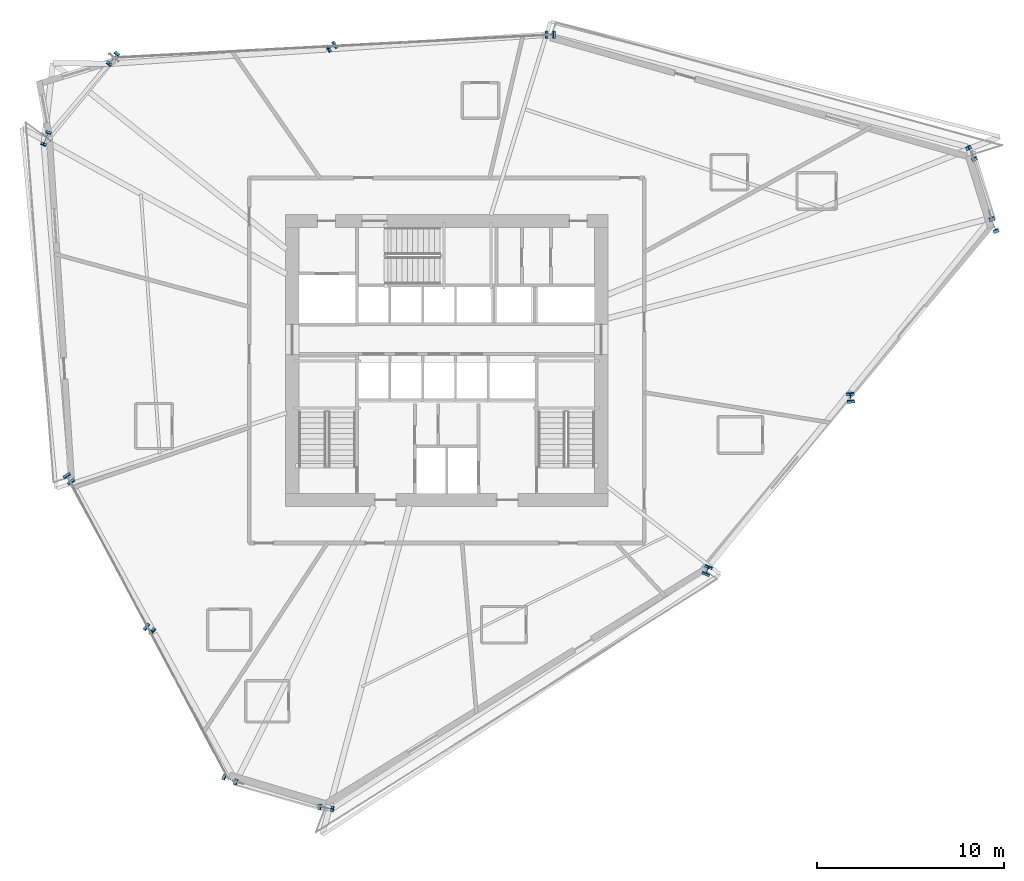
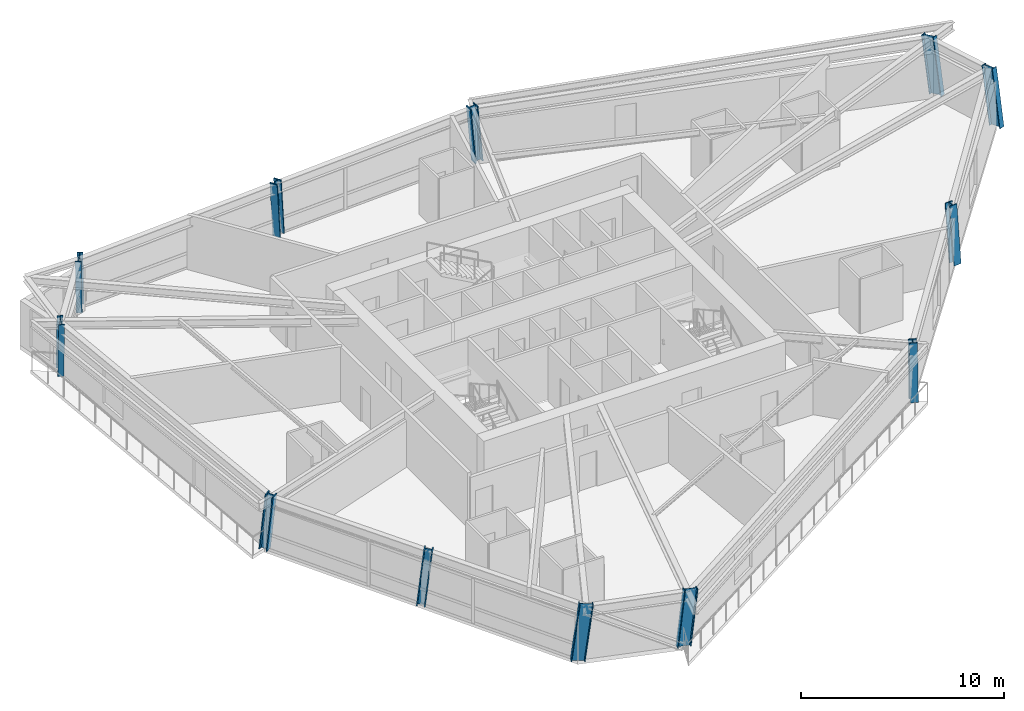
# One storey, part 1 of 21: 12 columns.
"""IFC4 building model written with IfcOpenShell, lengths in metres."""

import ifcopenshell
import ifcopenshell.guid

model = None  # the IFC model being written
_history = None  # IfcOwnerHistory: only IFC2X3 demands one
_inside = {}  # id of a spatial element -> (the spatial element, [elements in it])
_under = {}  # id of a project, library or spatial element -> (it, [spatial elements below it])
_declared = {}  # id of a project -> (the project, [libraries it declares])
_typed = {}  # id of a type object -> (the type object, [elements of that type])
_made_of = {}  # id of a material, layer set ... -> (it, [elements and type objects made of it])


def new_model(schema):
    """Start an empty IFC model of exactly this schema.

    Asked for "IFC4X3", IfcOpenShell would pick the latest addendum, in which some entities
    have other attributes; the version numbers below select the first issue.
    IFC2X3 requires an IfcOwnerHistory on every rooted entity: one is made here for all.
    """
    global model, _history
    if schema == "IFC4X3":
        model = ifcopenshell.file(schema_version=(4, 3, 0, 0))
    else:
        model = ifcopenshell.file(schema=schema)
    _inside.clear()
    _under.clear()
    _declared.clear()
    _typed.clear()
    _made_of.clear()
    _history = None
    if model.schema == "IFC2X3":
        org = make("IfcOrganization", Name="unknown")
        user = make(
            "IfcPersonAndOrganization",
            ThePerson=make("IfcPerson", FamilyName="unknown"),
            TheOrganization=org,
        )
        app = make(
            "IfcApplication",
            ApplicationDeveloper=org,
            Version="unknown",
            ApplicationFullName="unknown",
            ApplicationIdentifier="unknown",
        )
        _history = make(
            "IfcOwnerHistory",
            OwningUser=user,
            OwningApplication=app,
            ChangeAction="ADDED",
            CreationDate=0,
        )
    return model


def make(cls, **values):
    """One entity of the class cls with the attributes given. An attribute that is None is left unset."""
    return model.create_entity(
        cls, **{name: value for name, value in values.items() if value is not None}
    )


def rooted(cls, **values):
    """An entity with a GlobalId (a new one), such as an element, a storey or a relation."""
    return make(cls, GlobalId=ifcopenshell.guid.new(), OwnerHistory=_history, **values)


def si_unit(unit_type, name, prefix=None):
    """IfcSIUnit, for example si_unit("LENGTHUNIT", "METRE", prefix="MILLI")."""
    return make("IfcSIUnit", UnitType=unit_type, Prefix=prefix, Name=name)


def assignment(units):
    """IfcUnitAssignment: the units of a project."""
    return None if units is None else make("IfcUnitAssignment", Units=units)


def point(xyz):
    """IfcCartesianPoint."""
    return None if xyz is None else make("IfcCartesianPoint", Coordinates=xyz)


def direction(xyz):
    """IfcDirection."""
    return None if xyz is None else make("IfcDirection", DirectionRatios=xyz)


def frame(location, z_axis=None, x_axis=None):
    """IfcAxis2Placement3D, a coordinate frame: its origin and axes. An axis left out is left unset."""
    return make(
        "IfcAxis2Placement3D",
        Location=point(location),
        Axis=direction(z_axis),
        RefDirection=direction(x_axis),
    )


def frame_2d(location, x_axis=None):
    """IfcAxis2Placement2D, a coordinate frame in the plane: its origin and x axis."""
    return make(
        "IfcAxis2Placement2D", Location=point(location), RefDirection=direction(x_axis)
    )


def origin():
    """The frame at (0, 0, 0) with its axes left unset."""
    return frame((0.0, 0.0, 0.0))


def origin_2d():
    """The frame at (0, 0) in the plane with its x axis left unset."""
    return frame_2d((0.0, 0.0))


def place(relative_to, where):
    """IfcLocalPlacement: puts the frame where relative to a parent placement (None: the world)."""
    return make(
        "IfcLocalPlacement", PlacementRelTo=relative_to, RelativePlacement=where
    )


def context(
    kind, dimensions, precision=None, world=None, true_north=None, identifier=None
):
    """IfcGeometricRepresentationContext, for example the 3D "Model" context."""
    return make(
        "IfcGeometricRepresentationContext",
        ContextIdentifier=identifier,
        ContextType=kind,
        CoordinateSpaceDimension=dimensions,
        Precision=precision,
        WorldCoordinateSystem=world,
        TrueNorth=true_north,
    )


def subcontext(parent, identifier, kind, view, scale=None):
    """IfcGeometricRepresentationSubContext, for example "Body" below "Model"."""
    return make(
        "IfcGeometricRepresentationSubContext",
        ContextIdentifier=identifier,
        ContextType=kind,
        ParentContext=parent,
        TargetScale=scale,
        TargetView=view,
    )


def project(units=None, contexts=None):
    """IfcProject with its units and contexts."""
    return rooted(
        "IfcProject",
        Name="project",
        RepresentationContexts=contexts,
        UnitsInContext=assignment(units),
    )


def spatial(cls, under=None, at=None, **own):
    """A site, building, storey or space (cls), placed at a placement, below another one or the project."""
    s = rooted(cls, ObjectPlacement=at, **own)
    if under is not None:
        _under.setdefault(under.id(), (under, []))[1].append(s)
    return s


def profile(cls, at=None, kind="AREA", **sizes):
    """A parametric profile (cls). Its sizes go by their IFC names, for example OverallWidth=200.0."""
    return make(cls, ProfileType=kind, Position=at, **sizes)


def i_section(**sizes):
    """IfcIShapeProfileDef."""
    return profile("IfcIShapeProfileDef", **sizes)


def extrude(swept, where, along, depth):
    """IfcExtrudedAreaSolid: the profile swept, set in the frame where, extruded along a direction by depth."""
    return make(
        "IfcExtrudedAreaSolid",
        SweptArea=swept,
        Position=where,
        ExtrudedDirection=direction(along),
        Depth=depth,
    )


def shape(context_of_items, identifier, shape_type, items):
    """IfcShapeRepresentation: the items that make up one representation, for example the "Body"."""
    return make(
        "IfcShapeRepresentation",
        ContextOfItems=context_of_items,
        RepresentationIdentifier=identifier,
        RepresentationType=shape_type,
        Items=items,
    )


def source(mapping_origin, context_of_items, identifier, shape_type, items):
    """IfcRepresentationMap: a shape defined once, which mapped items show again and again."""
    return make(
        "IfcRepresentationMap",
        MappingOrigin=mapping_origin,
        MappedRepresentation=shape(context_of_items, identifier, shape_type, items),
    )


def transform(
    local_origin,
    x_axis=None,
    y_axis=None,
    z_axis=None,
    scale=None,
    scale2=None,
    scale3=None,
    uniform=True,
):
    """IfcCartesianTransformationOperator3D, or its non-uniform kind. x_axis, y_axis, z_axis: its Axis1, 2, 3."""
    if uniform:
        return make(
            "IfcCartesianTransformationOperator3D",
            Axis1=direction(x_axis),
            Axis2=direction(y_axis),
            LocalOrigin=point(local_origin),
            Scale=scale,
            Axis3=direction(z_axis),
        )
    return make(
        "IfcCartesianTransformationOperator3DnonUniform",
        Axis1=direction(x_axis),
        Axis2=direction(y_axis),
        LocalOrigin=point(local_origin),
        Scale=scale,
        Axis3=direction(z_axis),
        Scale2=scale2,
        Scale3=scale3,
    )


def mapped(mapping_source, mapping_target):
    """IfcMappedItem: shows the shape of a source again, moved by a transform."""
    return make(
        "IfcMappedItem", MappingSource=mapping_source, MappingTarget=mapping_target
    )


def material(Name=None, Category=None):
    """IfcMaterial."""
    return make("IfcMaterial", Name=Name, Category=Category)


def material_profile(
    of_material, cross_section, Name=None, Category=None, Priority=None
):
    """IfcMaterialProfile: a cross section and its material."""
    return make(
        "IfcMaterialProfile",
        Name=Name,
        Material=of_material,
        Profile=cross_section,
        Priority=Priority,
        Category=Category,
    )


def profile_set(profiles, Name=None, composite=None):
    """IfcMaterialProfileSet."""
    return make(
        "IfcMaterialProfileSet",
        Name=Name,
        MaterialProfiles=profiles,
        CompositeProfile=composite,
    )


def made_of(thing, what):
    """Note that an element or type object is made of a material, layer set ...; save() writes the relation."""
    if what is not None:
        _made_of.setdefault(what.id(), (what, []))[1].append(thing)
    return thing


def type_object(cls, material=None, **own):
    """A type object (cls), such as IfcWallType, which elements share."""
    return made_of(rooted(cls, **own), material)


def element(
    cls,
    number,
    at=None,
    inside=None,
    cuts=None,
    type_object=None,
    material=None,
    context=None,
    identifier="Body",
    shape_type=None,
    held_by="IfcProductDefinitionShape",
    body=None,
    shapes=None,
    **own,
):
    """One element of the class cls, such as IfcWall. Its Tag is "e" and its number.

    at: its placement. inside: the storey or other place that contains it. cuts: it is an
    opening in that element (IfcRelVoidsElement). A single representation is given by context,
    identifier, shape_type and body (its items); several are given by shapes. held_by: the class
    of the entity that holds the representations. save() writes the other relations.
    """
    e = rooted(cls, Tag="e%d" % number, ObjectPlacement=at, **own)
    if body is not None:
        shapes = [shape(context, identifier, shape_type, body)]
    if shapes is not None:
        e.Representation = make(held_by, Representations=shapes)
    if inside is not None:
        _inside.setdefault(inside.id(), (inside, []))[1].append(e)
    if cuts is not None:
        rooted(
            "IfcRelVoidsElement", RelatingBuildingElement=cuts, RelatedOpeningElement=e
        )
    if type_object is not None:
        _typed.setdefault(type_object.id(), (type_object, []))[1].append(e)
    return made_of(e, material)


def aggregate(whole, parts):
    """IfcRelAggregates: a whole, such as a stair, and the parts it consists of."""
    return rooted("IfcRelAggregates", RelatingObject=whole, RelatedObjects=parts)


def save(model, path):
    """Write the relations noted so far, then the file.

    IfcRelAggregates (storeys below a building ...), IfcRelContainedInSpatialStructure (elements
    in a storey), IfcRelDefinesByType, IfcRelAssociatesMaterial and IfcRelDeclares: one each for
    every whole, place, type object, material and project.
    """
    for whole, parts in _under.values():
        aggregate(whole, parts)
    for where, things in _inside.values():
        rooted(
            "IfcRelContainedInSpatialStructure",
            RelatedElements=things,
            RelatingStructure=where,
        )
    for kind, things in _typed.values():
        rooted("IfcRelDefinesByType", RelatedObjects=things, RelatingType=kind)
    for what, things in _made_of.values():
        rooted("IfcRelAssociatesMaterial", RelatedObjects=things, RelatingMaterial=what)
    for by, libraries in _declared.values():
        rooted("IfcRelDeclares", RelatingContext=by, RelatedDefinitions=libraries)
    model.write(path)


model = new_model("IFC4")

# Units and contexts
model_context = context("Model", 3, precision=1e-05, world=origin(), true_north=direction((0.0, 1.0)))
body_context = subcontext(model_context, "Body", "Model", "MODEL_VIEW")
ifc_project = project(units=[si_unit("LENGTHUNIT", "METRE"), si_unit("AREAUNIT", "SQUARE_METRE"), si_unit("VOLUMEUNIT", "CUBIC_METRE"), si_unit("PLANEANGLEUNIT", "RADIAN"), si_unit("MASSUNIT", "GRAM", prefix="KILO")], contexts=[model_context])

# Site, building, storey
site_placement = place(None, origin())
site = spatial("IfcSite", under=ifc_project, at=site_placement, CompositionType="ELEMENT")
building_placement = place(site_placement, origin())
building = spatial("IfcBuilding", under=site, at=building_placement, Name="Olszyna Solenne Hotel", CompositionType="ELEMENT")
storey_placement = place(building_placement, frame((0.0, 0.0, 105.699951171875)))
storey = spatial("IfcBuildingStorey", under=building, at=storey_placement, Name="L27", CompositionType="ELEMENT", Elevation=105.699951171875)

# Columns
ifc_material = material(Name="Steel S460M", Category="steel")
ifc_material_profile_1 = material_profile(ifc_material, i_section(OverallWidth=0.41796875, OverallDepth=0.455078125, WebThickness=0.03759765625, FlangeThickness=0.05908203125, at=origin_2d()), Name="HD 400x551", Category="load-bearing")
ifc_profile_set_1 = profile_set([ifc_material_profile_1], Name="Steel S460M")
column_type_1 = type_object("IfcColumnType", Name="COL-T2", PredefinedType="COLUMN", material=ifc_profile_set_1)
shared_shape_1 = source(origin(), body_context, "Body", "SweptSolid", [
    extrude(i_section(OverallWidth=0.41796875, OverallDepth=0.455078125, WebThickness=0.03759765625, FlangeThickness=0.05908203125, at=origin_2d()), origin(), (0.0, 0.0, 1.0), 3.398193359375),
])
column_1_placement = place(storey_placement, frame((51.890869140625, 15.33349609375, 0.0), z_axis=(0.033119577524, 0.08175722174, 0.996101827264), x_axis=(-0.926838869798, 0.375459331263, 0.0)))
element("IfcColumn", 1, at=column_1_placement, inside=storey, type_object=column_type_1, Name="Perimeter framed-tube column COL-T2 C-L27-11", PredefinedType="COLUMN", context=body_context, shape_type="MappedRepresentation", body=[
    mapped(shared_shape_1, transform((0.0, 0.0, 0.0), x_axis=(1.0, 0.0, 0.0), y_axis=(0.0, 1.0, 0.0), z_axis=(0.0, 0.0, 1.0), scale=1.0)),
])
shared_shape_2 = source(origin(), body_context, "Body", "SweptSolid", [
    extrude(i_section(OverallWidth=0.41796875, OverallDepth=0.455078125, WebThickness=0.03759765625, FlangeThickness=0.05908203125, at=origin_2d()), origin(), (0.0, 0.0, 1.0), 3.4052734375),
])
column_2_placement = place(storey_placement, frame((59.572998046875, 24.54248046875, 0.0), z_axis=(-0.007456196647, 0.108760099163, 0.994040062554), x_axis=(-0.997658264016, -0.068395820341, 0.0)))
element("IfcColumn", 2, at=column_2_placement, inside=storey, type_object=column_type_1, Name="Perimeter framed-tube column COL-T2 C-L27-12", PredefinedType="COLUMN", context=body_context, shape_type="MappedRepresentation", body=[
    mapped(shared_shape_2, transform((0.0, 0.0, 0.0), x_axis=(1.0, 0.0, 0.0), y_axis=(0.0, 1.0, 0.0), z_axis=(0.0, 0.0, 1.0), scale=1.0)),
])
ifc_material_profile_2 = material_profile(ifc_material, i_section(OverallWidth=0.303955078125, OverallDepth=0.716064453125, WebThickness=0.02099609375, FlangeThickness=0.0400390625, at=origin_2d()), Name="HEM 700", Category="load-bearing")
ifc_profile_set_2 = profile_set([ifc_material_profile_2], Name="Steel S460M")
column_type_2 = type_object("IfcColumnType", Name="COL-K2", PredefinedType="COLUMN", material=ifc_profile_set_2)
shared_shape_3 = source(origin(), body_context, "Body", "SweptSolid", [
    extrude(i_section(OverallWidth=0.303955078125, OverallDepth=0.716064453125, WebThickness=0.02099609375, FlangeThickness=0.0400390625, at=origin_2d()), origin(), (0.0, 0.0, 1.0), 3.404296875),
])
column_3_placement = place(storey_placement, frame((16.618896484375, 38.521240234375, 0.0), z_axis=(-0.041093797697, -0.097821884919, 0.994355157186), x_axis=(0.921953144934, -0.387301431119, 0.0)))
element("IfcColumn", 3, at=column_3_placement, inside=storey, type_object=column_type_2, Name="Perimeter framed-tube column COL-K2 C-L27-06", PredefinedType="COLUMN", context=body_context, shape_type="MappedRepresentation", body=[
    mapped(shared_shape_3, transform((0.0, 0.0, 0.0), x_axis=(1.0, 0.0, 0.0), y_axis=(0.0, 1.0, 0.0), z_axis=(0.0, 0.0, 1.0), scale=1.0)),
])
shared_shape_4 = source(origin(), body_context, "Body", "SweptSolid", [
    extrude(i_section(OverallWidth=0.303955078125, OverallDepth=0.716064453125, WebThickness=0.02099609375, FlangeThickness=0.0400390625, at=origin_2d()), origin(), (0.0, 0.0, 1.0), 3.4052734375),
])
column_4_placement = place(storey_placement, frame((31.4912109375, 2.7177734375, 0.0), z_axis=(0.107328170064, -0.018138962609, 0.994058168291), x_axis=(0.166641574591, 0.98601753819, 0.0)))
element("IfcColumn", 4, at=column_4_placement, inside=storey, type_object=column_type_2, Name="Perimeter framed-tube column COL-K2 C-L27-10", PredefinedType="COLUMN", context=body_context, shape_type="MappedRepresentation", body=[
    mapped(shared_shape_4, transform((0.0, 0.0, 0.0), x_axis=(1.0, 0.0, 0.0), y_axis=(0.0, 1.0, 0.0), z_axis=(0.0, 0.0, 1.0), scale=1.0)),
])
shared_shape_5 = source(origin(), body_context, "Body", "SweptSolid", [
    extrude(i_section(OverallWidth=0.303955078125, OverallDepth=0.716064453125, WebThickness=0.02099609375, FlangeThickness=0.0400390625, at=origin_2d()), origin(), (0.0, 0.0, 1.0), 3.42041015625),
])
column_5_placement = place(storey_placement, frame((67.25537109375, 33.751708984375, 0.0), z_axis=(-0.047894435472, 0.135260738032, 0.989651785123), x_axis=(-0.942650051896, -0.333782683284, 0.0)))
element("IfcColumn", 5, at=column_5_placement, inside=storey, type_object=column_type_2, Name="Perimeter framed-tube column COL-K2 C-L27-01", PredefinedType="COLUMN", context=body_context, shape_type="MappedRepresentation", body=[
    mapped(shared_shape_5, transform((0.0, 0.0, 0.0), x_axis=(1.0, 0.0, 0.0), y_axis=(0.0, 1.0, 0.0), z_axis=(0.0, 0.0, 1.0), scale=1.0)),
])
shared_shape_6 = source(origin(), body_context, "Body", "SweptSolid", [
    extrude(i_section(OverallWidth=0.303955078125, OverallDepth=0.716064453125, WebThickness=0.02099609375, FlangeThickness=0.0400390625, at=origin_2d()), origin(), (0.0, 0.0, 1.0), 3.416015625),
])
column_6_placement = place(storey_placement, frame((66.0634765625, 37.589599609375, 0.0), z_axis=(-0.062036324357, 0.119141189749, 0.990937370052), x_axis=(-0.886964034529, -0.461838501483, 0.0)))
element("IfcColumn", 6, at=column_6_placement, inside=storey, type_object=column_type_2, Name="Perimeter framed-tube column COL-K2 C-L27-02", PredefinedType="COLUMN", context=body_context, shape_type="MappedRepresentation", body=[
    mapped(shared_shape_6, transform((0.0, 0.0, 0.0), x_axis=(1.0, 0.0, 0.0), y_axis=(0.0, 1.0, 0.0), z_axis=(0.0, 0.0, 1.0), scale=1.0)),
])
shared_shape_7 = source(origin(), body_context, "Body", "SweptSolid", [
    extrude(i_section(OverallWidth=0.41796875, OverallDepth=0.455078125, WebThickness=0.03759765625, FlangeThickness=0.05908203125, at=origin_2d()), origin(), (0.0, 0.0, 1.0), 3.399169921875),
])
column_7_placement = place(storey_placement, frame((31.897216796875, 43.3828125, 0.0), z_axis=(-0.078216564077, -0.046685736134, 0.995842663851), x_axis=(0.512523153055, -0.858673405657, 0.0)))
element("IfcColumn", 7, at=column_7_placement, inside=storey, type_object=column_type_1, Name="Perimeter framed-tube column COL-T2 C-L27-04", PredefinedType="COLUMN", context=body_context, shape_type="MappedRepresentation", body=[
    mapped(shared_shape_7, transform((0.0, 0.0, 0.0), x_axis=(1.0, 0.0, 0.0), y_axis=(0.0, 1.0, 0.0), z_axis=(0.0, 0.0, 1.0), scale=1.0)),
])
shared_shape_8 = source(origin(), body_context, "Body", "SweptSolid", [
    extrude(i_section(OverallWidth=0.303955078125, OverallDepth=0.716064453125, WebThickness=0.02099609375, FlangeThickness=0.0400390625, at=origin_2d()), origin(), (0.0, 0.0, 1.0), 3.408447265625),
])
column_8_placement = place(storey_placement, frame((20.22119140625, 42.769287109375, 0.0), z_axis=(-0.070696817794, -0.093331259965, 0.993121964246), x_axis=(0.797127838914, -0.603810573299, 0.0)))
element("IfcColumn", 8, at=column_8_placement, inside=storey, type_object=column_type_2, Name="Perimeter framed-tube column COL-K2 C-L27-05", PredefinedType="COLUMN", context=body_context, shape_type="MappedRepresentation", body=[
    mapped(shared_shape_8, transform((0.0, 0.0, 0.0), x_axis=(1.0, 0.0, 0.0), y_axis=(0.0, 1.0, 0.0), z_axis=(0.0, 0.0, 1.0), scale=1.0)),
])
shared_shape_9 = source(origin(), body_context, "Body", "SweptSolid", [
    extrude(i_section(OverallWidth=0.41796875, OverallDepth=0.455078125, WebThickness=0.03759765625, FlangeThickness=0.05908203125, at=origin_2d()), origin(), (0.0, 0.0, 1.0), 3.40478515625),
])
column_9_placement = place(storey_placement, frame((22.0693359375, 12.29345703125, 0.0), z_axis=(0.085544136736, -0.065323309779, 0.994190658712), x_axis=(0.606905952287, 0.794773656508, 0.0)))
element("IfcColumn", 9, at=column_9_placement, inside=storey, type_object=column_type_1, Name="Perimeter framed-tube column COL-T2 C-L27-08", PredefinedType="COLUMN", context=body_context, shape_type="MappedRepresentation", body=[
    mapped(shared_shape_9, transform((0.0, 0.0, 0.0), x_axis=(1.0, 0.0, 0.0), y_axis=(0.0, 1.0, 0.0), z_axis=(0.0, 0.0, 1.0), scale=1.0)),
])
shared_shape_10 = source(origin(), body_context, "Body", "SweptSolid", [
    extrude(i_section(OverallWidth=0.303955078125, OverallDepth=0.716064453125, WebThickness=0.02099609375, FlangeThickness=0.0400390625, at=origin_2d()), origin(), (0.0, 0.0, 1.0), 3.4111328125),
])
column_10_placement = place(storey_placement, frame((26.349853515625, 4.25048828125, 0.0), z_axis=(0.114728514491, -0.045948662697, 0.992333657778), x_axis=(0.371790029716, 0.928316849898, 0.0)))
element("IfcColumn", 10, at=column_10_placement, inside=storey, type_object=column_type_2, Name="Perimeter framed-tube column COL-K2 C-L27-09", PredefinedType="COLUMN", context=body_context, shape_type="MappedRepresentation", body=[
    mapped(shared_shape_10, transform((0.0, 0.0, 0.0), x_axis=(1.0, 0.0, 0.0), y_axis=(0.0, 1.0, 0.0), z_axis=(0.0, 0.0, 1.0), scale=1.0)),
])
shared_shape_11 = source(origin(), body_context, "Body", "SweptSolid", [
    extrude(i_section(OverallWidth=0.41796875, OverallDepth=0.455078125, WebThickness=0.03759765625, FlangeThickness=0.05908203125, at=origin_2d()), origin(), (0.0, 0.0, 1.0), 3.3974609375),
])
column_11_placement = place(storey_placement, frame((43.573486328125, 43.99658203125, 0.0), z_axis=(-0.085727236226, 0.000143717077, 0.996318633929), x_axis=(-0.001676443579, -0.999998594767, 0.0)))
element("IfcColumn", 11, at=column_11_placement, inside=storey, type_object=column_type_1, Name="Perimeter framed-tube column COL-T2 C-L27-03", PredefinedType="COLUMN", context=body_context, shape_type="MappedRepresentation", body=[
    mapped(shared_shape_11, transform((0.0, 0.0, 0.0), x_axis=(1.0, 0.0, 0.0), y_axis=(0.0, 1.0, 0.0), z_axis=(0.0, 0.0, 1.0), scale=1.0)),
])
shared_shape_12 = source(origin(), body_context, "Body", "SweptSolid", [
    extrude(i_section(OverallWidth=0.41796875, OverallDepth=0.455078125, WebThickness=0.03759765625, FlangeThickness=0.05908203125, at=origin_2d()), origin(), (0.0, 0.0, 1.0), 3.402587890625),
])
column_12_placement = place(storey_placement, frame((17.7890625, 20.336669921875, 0.0), z_axis=(0.056108980358, -0.084737475451, 0.994822266828), x_axis=(0.833784053008, 0.552090710798, 0.0)))
element("IfcColumn", 12, at=column_12_placement, inside=storey, type_object=column_type_1, Name="Perimeter framed-tube column COL-T2 C-L27-07", PredefinedType="COLUMN", context=body_context, shape_type="MappedRepresentation", body=[
    mapped(shared_shape_12, transform((0.0, 0.0, 0.0), x_axis=(1.0, 0.0, 0.0), y_axis=(0.0, 1.0, 0.0), z_axis=(0.0, 0.0, 1.0), scale=1.0)),
])

save(model, "model.ifc")
